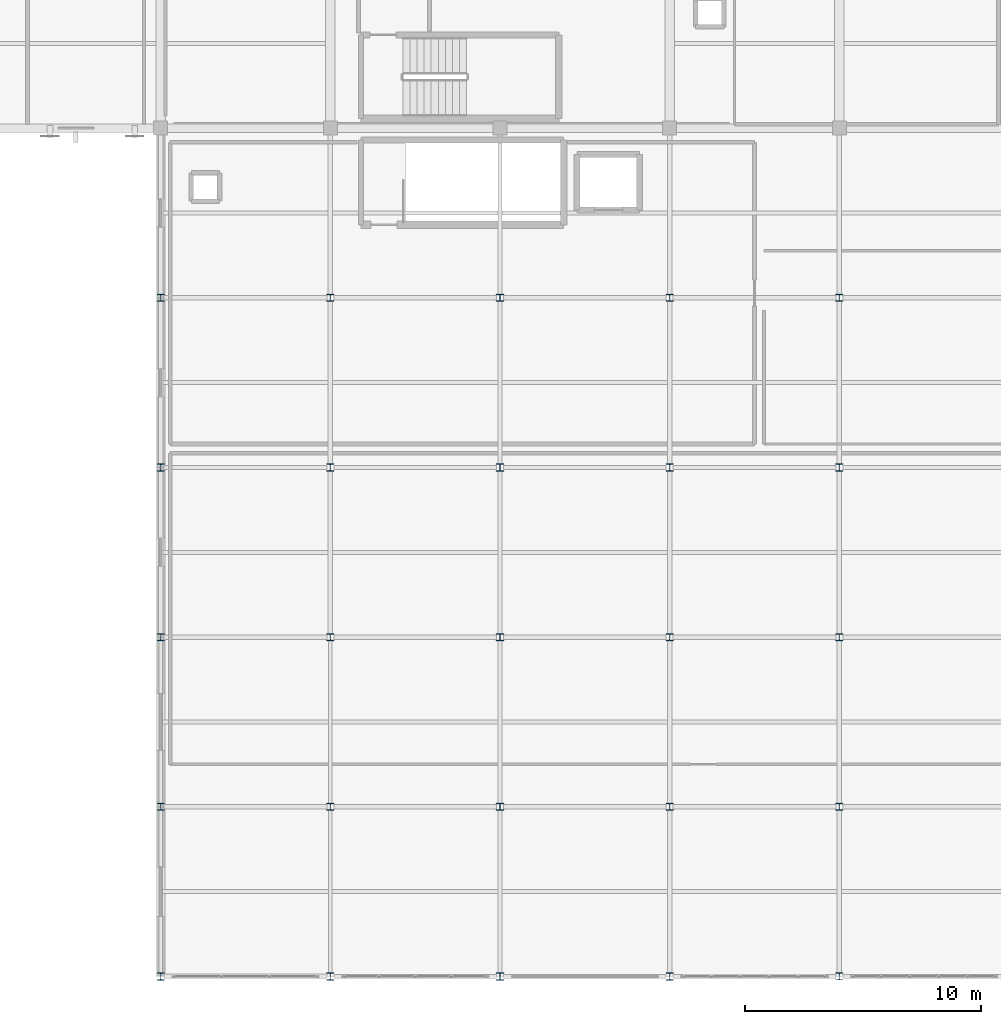
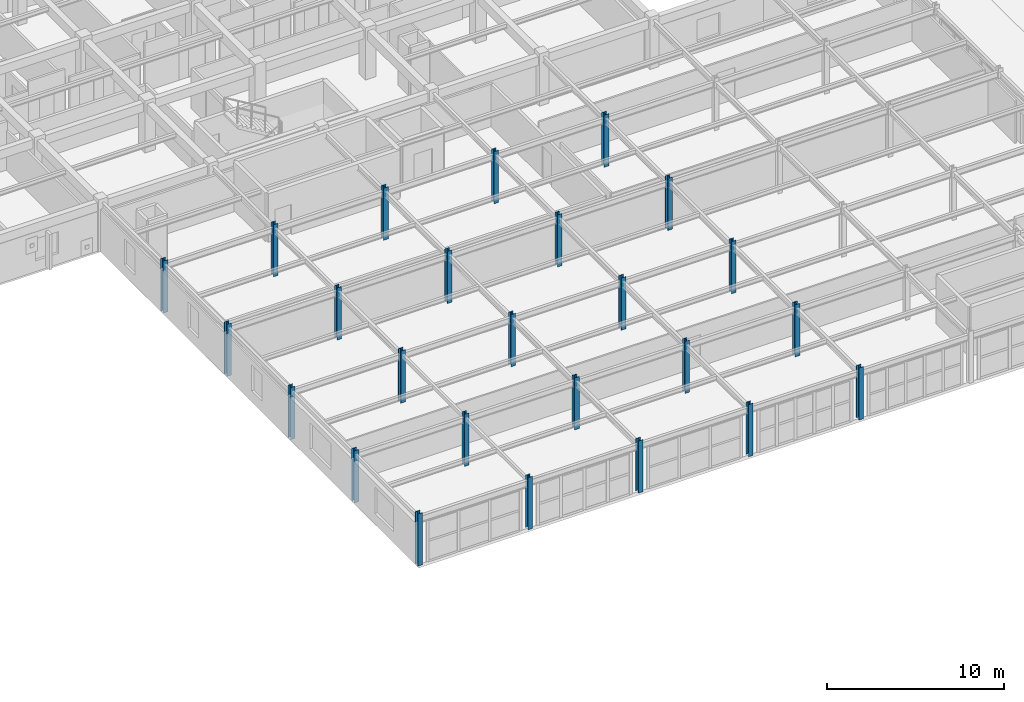
# One storey, part 3 of 73: 25 columns.
"""IFC4 building model written with IfcOpenShell, lengths in metres."""

from ifc_helpers import new_model, si_unit, direction, frame, origin, origin_2d, place, context, subcontext, project, spatial, i_section, extrude, material, material_profile, profile_set, type_object, element, save


model = new_model("IFC4")

# Units and contexts
model_context = context("Model", 3, precision=1e-05, world=origin(), true_north=direction((0.0, 1.0)))
body_context = subcontext(model_context, "Body", "Model", "MODEL_VIEW")
ifc_project = project(units=[si_unit("LENGTHUNIT", "METRE"), si_unit("AREAUNIT", "SQUARE_METRE"), si_unit("VOLUMEUNIT", "CUBIC_METRE"), si_unit("PLANEANGLEUNIT", "RADIAN"), si_unit("MASSUNIT", "GRAM", prefix="KILO")], contexts=[model_context])

# Site, building, storey
site_placement = place(None, origin())
site = spatial("IfcSite", under=ifc_project, at=site_placement, CompositionType="ELEMENT")
building_placement = place(site_placement, origin())
building = spatial("IfcBuilding", under=site, at=building_placement, Name="Carrowvane Square Congress Hotel", CompositionType="ELEMENT")
storey_placement = place(building_placement, frame((0.0, 0.0, 19.199951171875)))
storey = spatial("IfcBuildingStorey", under=building, at=storey_placement, Name="L04", CompositionType="ELEMENT", Elevation=19.199951171875)

# Columns
ifc_material = material(Name="Steel S355", Category="steel")
ifc_material_profile = material_profile(ifc_material, i_section(OverallWidth=0.300048828125, OverallDepth=0.300048828125, WebThickness=0.010986328125, FlangeThickness=0.01904296875, FilletRadius=0.027099609375, at=origin_2d()), Name="HEB 300")
ifc_profile_set = profile_set([ifc_material_profile], Name="Steel S355")
column_type = type_object("IfcColumnType", Name="COL-ST-HEB300", PredefinedType="COLUMN", material=ifc_profile_set)
for number, where, z_axis, x_axis, name in (
    (1, (126.800048828125, 55.800048828125, 0.0), (0.0, 0.0, 1.0), (1.0, 0.0, 0.0), "L04 column 17/H"),
    (2, (126.800048828125, 63.0, 0.0), (0.0, 0.0, 1.0), (1.0, 0.0, 0.0), "L04 column 17/J"),
    (3, (126.800048828125, 70.199951171875, 0.0), (0.0, 0.0, 1.0), (1.0, 0.0, 0.0), "L04 column 17/K"),
    (4, (126.800048828125, 77.39990234375, 0.0), (0.0, 0.0, 1.0), (1.0, 0.0, 0.0), "L04 column 17/L"),
    (5, (126.800048828125, 84.60009765625, 0.0), (0.0, 0.0, 1.0), (1.0, 0.0, 0.0), "L04 column 17/M"),
    (6, (134.0, 55.800048828125, 0.0), (0.0, 0.0, 1.0), (1.0, 0.0, 0.0), "L04 column 18/H"),
    (7, (134.0, 63.0, 0.0), (0.0, 0.0, 1.0), (1.0, 0.0, 0.0), "L04 column 18/J"),
    (8, (134.0, 70.199951171875, 0.0), (0.0, 0.0, 1.0), (1.0, 0.0, 0.0), "L04 column 18/K"),
    (9, (134.0, 77.39990234375, 0.0), (0.0, 0.0, 1.0), (1.0, 0.0, 0.0), "L04 column 18/L"),
    (10, (134.0, 84.60009765625, 0.0), (0.0, 0.0, 1.0), (1.0, 0.0, 0.0), "L04 column 18/M"),
    (11, (141.199951171875, 55.800048828125, 0.0), (0.0, 0.0, 1.0), (1.0, 0.0, 0.0), "L04 column 19/H"),
    (12, (141.199951171875, 63.0, 0.0), (0.0, 0.0, 1.0), (1.0, 0.0, 0.0), "L04 column 19/J"),
    (13, (141.199951171875, 70.199951171875, 0.0), (0.0, 0.0, 1.0), (1.0, 0.0, 0.0), "L04 column 19/K"),
    (14, (141.199951171875, 77.39990234375, 0.0), (0.0, 0.0, 1.0), (1.0, 0.0, 0.0), "L04 column 19/L"),
    (15, (141.199951171875, 84.60009765625, 0.0), (0.0, 0.0, 1.0), (1.0, 0.0, 0.0), "L04 column 19/M"),
    (16, (148.39990234375, 55.800048828125, 0.0), (0.0, 0.0, 1.0), (1.0, 0.0, 0.0), "L04 column 20/H"),
    (17, (148.39990234375, 63.0, 0.0), (0.0, 0.0, 1.0), (1.0, 0.0, 0.0), "L04 column 20/J"),
    (18, (148.39990234375, 70.199951171875, 0.0), (0.0, 0.0, 1.0), (1.0, 0.0, 0.0), "L04 column 20/K"),
    (19, (148.39990234375, 77.39990234375, 0.0), (0.0, 0.0, 1.0), (1.0, 0.0, 0.0), "L04 column 20/L"),
    (20, (148.39990234375, 84.60009765625, 0.0), (0.0, 0.0, 1.0), (1.0, 0.0, 0.0), "L04 column 20/M"),
    (21, (155.60009765625, 55.800048828125, 0.0), (0.0, 0.0, 1.0), (1.0, 0.0, 0.0), "L04 column 21/H"),
    (22, (155.60009765625, 63.0, 0.0), (0.0, 0.0, 1.0), (1.0, 0.0, 0.0), "L04 column 21/J"),
    (23, (155.60009765625, 70.199951171875, 0.0), (0.0, 0.0, 1.0), (1.0, 0.0, 0.0), "L04 column 21/K"),
    (24, (155.60009765625, 77.39990234375, 0.0), (0.0, 0.0, 1.0), (1.0, 0.0, 0.0), "L04 column 21/L"),
    (25, (155.60009765625, 84.60009765625, 0.0), (0.0, 0.0, 1.0), (1.0, 0.0, 0.0), "L04 column 21/M"),
):
    element("IfcColumn", number, at=place(storey_placement, frame(where, z_axis=z_axis, x_axis=x_axis)), inside=storey, type_object=column_type, Name=name, PredefinedType="COLUMN", context=body_context, shape_type="SweptSolid", body=[
        extrude(i_section(OverallWidth=0.300048828125, OverallDepth=0.300048828125, WebThickness=0.010986328125, FlangeThickness=0.01904296875, FilletRadius=0.027099609375, at=origin_2d()), origin(), (0.0, 0.0, 1.0), 3.60009765625),
    ])

save(model, "model.ifc")
